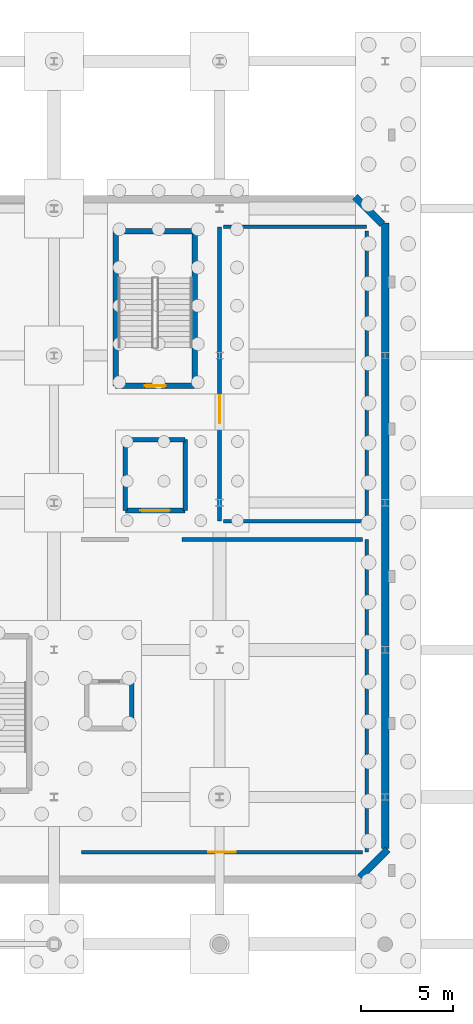
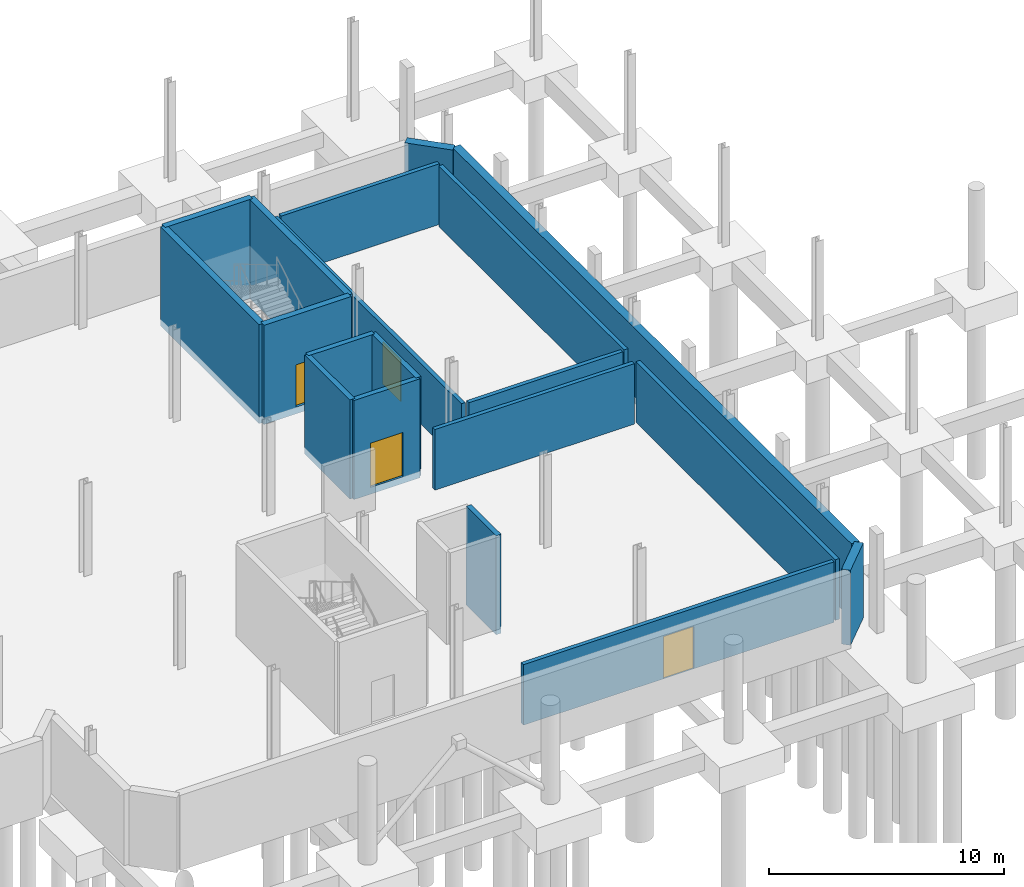
# One storey, part 30 of 37: 19 walls, 4 doors, 4 openings.
"""IFC4 building model written with IfcOpenShell, lengths in metres."""

from ifc_helpers import new_model, si_unit, direction, frame, frame_2d, origin, place, context, subcontext, project, spatial, rectangle, extrude, material, layer, layer_set, type_object, element, fill, save


model = new_model("IFC4")

# Units and contexts
model_context = context("Model", 3, precision=1e-05, world=origin(), true_north=direction((0.0, 1.0)))
body_context = subcontext(model_context, "Body", "Model", "MODEL_VIEW")
ifc_project = project(units=[si_unit("LENGTHUNIT", "METRE"), si_unit("AREAUNIT", "SQUARE_METRE"), si_unit("VOLUMEUNIT", "CUBIC_METRE"), si_unit("PLANEANGLEUNIT", "RADIAN"), si_unit("MASSUNIT", "GRAM", prefix="KILO"), si_unit("THERMODYNAMICTEMPERATUREUNIT", "KELVIN"), si_unit("POWERUNIT", "WATT")], contexts=[model_context])

# Site, building, storey
site_placement = place(None, origin())
site = spatial("IfcSite", under=ifc_project, at=site_placement, CompositionType="ELEMENT")
building_placement = place(site_placement, origin())
building = spatial("IfcBuilding", under=site, at=building_placement, Name="Zelmaris Science Centre", CompositionType="ELEMENT")
storey_placement = place(building_placement, frame((0.0, 0.0, -4.800048828125)))
storey = spatial("IfcBuildingStorey", under=building, at=storey_placement, Name="B1", CompositionType="ELEMENT", Elevation=-4.800048828125)

# Wall, opening, door
ifc_material_1 = material(Name="Concrete C40/50", Category="concrete")
ifc_layer_1 = layer(ifc_material_1, 0.300048828125, Name="Concrete C40/50")
ifc_layer_set_1 = layer_set([ifc_layer_1], Name="Concrete C40/50")
wall_type_1 = type_object("IfcWallType", Name="Core Shear Wall CW-S1 300mm", PredefinedType="SOLIDWALL", material=ifc_layer_set_1)
wall_1_placement = place(storey_placement, frame((133.64990234375, 38.35009765625, -0.349853515625), z_axis=(0.0, 0.0, 1.0), x_axis=(-1.0, 0.0, 0.0)))
wall_1 = element("IfcWall", 1, at=wall_1_placement, inside=storey, type_object=wall_type_1, Name="B1 ST-5 core shear wall near", PredefinedType="SOLIDWALL", context=body_context, shape_type="SweptSolid", body=[
    extrude(rectangle(XDim=4.2998046875, YDim=0.300048828125, at=frame_2d((2.14990234375, 0.0))), origin(), (0.0, 0.0, 1.0), 5.14990234375),
])
opening_1_placement = place(wall_1_placement, frame((1.574951171875, 0.0, 0.35009765625)))
opening_1 = element("IfcOpeningElement", 2, at=opening_1_placement, cuts=wall_1, Name="Opening D-FD90", PredefinedType="OPENING", context=body_context, shape_type="SweptSolid", body=[
    extrude(rectangle(XDim=1.14990234375, YDim=2.199951171875, at=frame_2d((0.574951171875, 1.10009765625))), frame((0.0, 0.159912109375, 0.0), z_axis=(0.0, -1.0, 0.0), x_axis=(1.0, 0.0, 0.0)), (0.0, 0.0, 1.0), 0.320068359375),
])
ifc_material_2 = material(Name="Steel ASTM A36", Category="steel")
door_type_1 = type_object("IfcDoorType", Name="Interior Door D-FD90 1150x2200", OperationType="NOTDEFINED", PredefinedType="DOOR", material=ifc_material_2)
door_1_placement = place(opening_1_placement, origin())
door_1 = element("IfcDoor", 3, at=door_1_placement, inside=storey, type_object=door_type_1, Name="B1 ST-5 exit stair fire door", OperationType="SINGLE_SWING_LEFT", OverallHeight=2.199951171875, OverallWidth=1.14990234375, PredefinedType="DOOR", context=body_context, shape_type="SweptSolid", body=[
    extrude(rectangle(XDim=1.14990234375, YDim=2.199951171875, at=frame_2d((0.574951171875, 1.10009765625))), frame((0.0, 0.02490234375, 0.0), z_axis=(0.0, -1.0, 0.0), x_axis=(1.0, 0.0, 0.0)), (0.0, 0.0, 1.0), 0.050048828125),
])
fill(opening_1, door_1)

# Walls
wall_2_placement = place(storey_placement, frame((133.64990234375, 38.35009765625, -0.349853515625), z_axis=(0.0, 0.0, 1.0), x_axis=(0.0, 1.0, 0.0)))
element("IfcWall", 4, at=wall_2_placement, inside=storey, type_object=wall_type_1, Name="B1 ST-5 core shear wall east", PredefinedType="SOLIDWALL", context=body_context, shape_type="SweptSolid", body=[
    extrude(rectangle(XDim=8.39990234375, YDim=0.300048828125, at=frame_2d((4.199951171875, 0.0))), origin(), (0.0, 0.0, 1.0), 5.14990234375),
])
wall_3_placement = place(storey_placement, frame((133.64990234375, 46.75, -0.349853515625), z_axis=(0.0, 0.0, 1.0), x_axis=(-1.0, 0.0, 0.0)))
element("IfcWall", 5, at=wall_3_placement, inside=storey, type_object=wall_type_1, Name="B1 ST-5 core shear wall far", PredefinedType="SOLIDWALL", context=body_context, shape_type="SweptSolid", body=[
    extrude(rectangle(XDim=4.2998046875, YDim=0.300048828125, at=frame_2d((2.14990234375, 0.0))), origin(), (0.0, 0.0, 1.0), 5.14990234375),
])
wall_4_placement = place(storey_placement, frame((129.35009765625, 38.35009765625, -0.349853515625), z_axis=(0.0, 0.0, 1.0), x_axis=(0.0, 1.0, 0.0)))
element("IfcWall", 6, at=wall_4_placement, inside=storey, type_object=wall_type_1, Name="B1 ST-5 core shear wall west", PredefinedType="SOLIDWALL", context=body_context, shape_type="SweptSolid", body=[
    extrude(rectangle(XDim=8.39990234375, YDim=0.300048828125, at=frame_2d((4.199951171875, 0.0))), origin(), (0.0, 0.0, 1.0), 5.14990234375),
])
ifc_layer_2 = layer(ifc_material_1, 0.25, Name="Concrete C40/50")
ifc_layer_set_2 = layer_set([ifc_layer_2], Name="Concrete C40/50")
wall_type_2 = type_object("IfcWallType", Name="Core Shear Wall CW-S2 250mm", PredefinedType="SOLIDWALL", material=ifc_layer_set_2)
wall_5_placement = place(storey_placement, frame((130.22509765625, 19.72509765625, -0.349853515625), z_axis=(0.0, 0.0, 1.0), x_axis=(0.0, 1.0, 0.0)))
element("IfcWall", 7, at=wall_5_placement, inside=storey, type_object=wall_type_2, Name="B1 LP-02 lift shaft wall +x", PredefinedType="SOLIDWALL", context=body_context, shape_type="SweptSolid", body=[
    extrude(rectangle(XDim=2.5498046875, YDim=0.25, at=frame_2d((1.27490234375, 0.0))), origin(), (0.0, 0.0, 1.0), 5.14990234375),
])

# Wall, opening, door
wall_6_placement = place(storey_placement, frame((129.875, 31.574951171875, -0.349853515625), z_axis=(0.0, 0.0, 1.0), x_axis=(1.0, 0.0, 0.0)))
wall_6 = element("IfcWall", 8, at=wall_6_placement, inside=storey, type_object=wall_type_2, Name="B1 GL-01 lift shaft wall -y", PredefinedType="SOLIDWALL", context=body_context, shape_type="SweptSolid", body=[
    extrude(rectangle(XDim=3.25, YDim=0.25, at=frame_2d((1.625, 0.0))), origin(), (0.0, 0.0, 1.0), 5.14990234375),
])
opening_2_placement = place(wall_6_placement, frame((0.824951171875, 0.0, 0.35009765625)))
opening_2 = element("IfcOpeningElement", 9, at=opening_2_placement, cuts=wall_6, Name="Opening LD-02", PredefinedType="OPENING", context=body_context, shape_type="SweptSolid", body=[
    extrude(rectangle(XDim=1.60009765625, YDim=2.300048828125, at=frame_2d((0.800048828125, 1.14990234375))), frame((0.0, 0.135009765625, 0.0), z_axis=(0.0, -1.0, 0.0), x_axis=(1.0, 0.0, 0.0)), (0.0, 0.0, 1.0), 0.27001953125),
])
door_type_2 = type_object("IfcDoorType", Name="Interior Door LD-02 1600x2300", OperationType="SLIDING_TO_LEFT", PredefinedType="DOOR", material=ifc_material_2)
door_2_placement = place(opening_2_placement, origin())
door_2 = element("IfcDoor", 10, at=door_2_placement, inside=storey, type_object=door_type_2, Name="Landing door LD-GL-01-B1", OperationType="SLIDING_TO_LEFT", OverallHeight=2.300048828125, OverallWidth=1.60009765625, PredefinedType="DOOR", context=body_context, shape_type="SweptSolid", body=[
    extrude(rectangle(XDim=1.60009765625, YDim=2.300048828125, at=frame_2d((0.800048828125, 1.14990234375))), frame((0.0, 0.02490234375, 0.0), z_axis=(0.0, -1.0, 0.0), x_axis=(1.0, 0.0, 0.0)), (0.0, 0.0, 1.0), 0.050048828125),
])
fill(opening_2, door_2)

# Walls
wall_7_placement = place(storey_placement, frame((133.125, 31.574951171875, -0.349853515625), z_axis=(0.0, 0.0, 1.0), x_axis=(0.0, 1.0, 0.0)))
element("IfcWall", 11, at=wall_7_placement, inside=storey, type_object=wall_type_2, Name="B1 GL-01 lift shaft wall +x", PredefinedType="SOLIDWALL", context=body_context, shape_type="SweptSolid", body=[
    extrude(rectangle(XDim=3.85009765625, YDim=0.25, at=frame_2d((1.925048828125, 0.0))), origin(), (0.0, 0.0, 1.0), 5.14990234375),
])
wall_8_placement = place(storey_placement, frame((133.125, 35.425048828125, -0.349853515625), z_axis=(0.0, 0.0, 1.0), x_axis=(-1.0, 0.0, 0.0)))
element("IfcWall", 12, at=wall_8_placement, inside=storey, type_object=wall_type_2, Name="B1 GL-01 lift shaft wall +y", PredefinedType="SOLIDWALL", context=body_context, shape_type="SweptSolid", body=[
    extrude(rectangle(XDim=3.25, YDim=0.25, at=frame_2d((1.625, 0.0))), origin(), (0.0, 0.0, 1.0), 5.14990234375),
])
wall_9_placement = place(storey_placement, frame((129.875, 35.425048828125, -0.349853515625), z_axis=(0.0, 0.0, 1.0), x_axis=(0.0, -1.0, 0.0)))
element("IfcWall", 13, at=wall_9_placement, inside=storey, type_object=wall_type_2, Name="B1 GL-01 lift shaft wall -x", PredefinedType="SOLIDWALL", context=body_context, shape_type="SweptSolid", body=[
    extrude(rectangle(XDim=3.85009765625, YDim=0.25, at=frame_2d((1.925048828125, 0.0))), origin(), (0.0, 0.0, 1.0), 5.14990234375),
])
ifc_material_3 = material(Name="Autoclaved aerated concrete blockwork", Category="masonry")
ifc_layer_3 = layer(ifc_material_3, 0.199951171875, Name="Autoclaved aerated concrete blockwork")
ifc_layer_set_3 = layer_set([ifc_layer_3], Name="Autoclaved aerated concrete blockwork")
wall_type_3 = type_object("IfcWallType", Name="Interior Wall FW-01 200mm", PredefinedType="SOLIDWALL", material=ifc_layer_set_3)
wall_10_placement = place(storey_placement, frame((143.0, 30.0, 0.0), z_axis=(0.0, 0.0, 1.0), x_axis=(0.0, -1.0, 0.0)))
element("IfcWall", 14, at=wall_10_placement, inside=storey, type_object=wall_type_3, Name="B1 Exhibit Fabrication Storage Room partition 14", PredefinedType="SOLIDWALL", context=body_context, shape_type="SweptSolid", body=[
    extrude(rectangle(XDim=17.0, YDim=0.199951171875, at=frame_2d((8.5, 0.0))), origin(), (0.0, 0.0, 1.0), 3.150146484375),
])

# Wall, opening, door
wall_11_placement = place(storey_placement, frame((142.780029296875, 13.0, 0.0), z_axis=(0.0, 0.0, 1.0), x_axis=(-1.0, 0.0, 0.0)))
wall_11 = element("IfcWall", 15, at=wall_11_placement, inside=storey, type_object=wall_type_3, Name="B1 Exhibit Fabrication Storage Room partition 15", PredefinedType="SOLIDWALL", context=body_context, shape_type="SweptSolid", body=[
    extrude(rectangle(XDim=15.275146484375, YDim=0.199951171875, at=frame_2d((7.6376953125, 0.0))), origin(), (0.0, 0.0, 1.0), 3.150146484375),
])
opening_3_placement = place(wall_11_placement, frame((6.887451171875, 0.0, 0.0)))
opening_3 = element("IfcOpeningElement", 16, at=opening_3_placement, cuts=wall_11, Name="Opening D-IN5", PredefinedType="OPENING", context=body_context, shape_type="SweptSolid", body=[
    extrude(rectangle(XDim=1.5, YDim=2.199951171875, at=frame_2d((0.75, 1.10009765625))), frame((0.0, 0.10986328125, 0.0), z_axis=(0.0, -1.0, 0.0), x_axis=(1.0, 0.0, 0.0)), (0.0, 0.0, 1.0), 0.219970703125),
])
door_type_3 = type_object("IfcDoorType", Name="Interior Door D-IN5 1500x2200", OperationType="NOTDEFINED", PredefinedType="DOOR", material=ifc_material_2)
door_3_placement = place(opening_3_placement, origin())
door_3 = element("IfcDoor", 17, at=door_3_placement, inside=storey, type_object=door_type_3, Name="B1 Exhibit Fabrication Storage Room door", OperationType="SINGLE_SWING_RIGHT", OverallHeight=2.199951171875, OverallWidth=1.5, PredefinedType="DOOR", context=body_context, shape_type="SweptSolid", body=[
    extrude(rectangle(XDim=1.5, YDim=2.199951171875, at=frame_2d((0.75, 1.10009765625))), frame((0.0, 0.02490234375, 0.0), z_axis=(0.0, -1.0, 0.0), x_axis=(1.0, 0.0, 0.0)), (0.0, 0.0, 1.0), 0.050048828125),
])
fill(opening_3, door_3)

# Wall
wall_12_placement = place(storey_placement, frame((132.9599609375, 30.0, 0.0), z_axis=(0.0, 0.0, 1.0), x_axis=(1.0, 0.0, 0.0)))
element("IfcWall", 18, at=wall_12_placement, inside=storey, type_object=wall_type_3, Name="B1 Exhibit Fabrication Storage Room partition 17", PredefinedType="SOLIDWALL", context=body_context, shape_type="SweptSolid", body=[
    extrude(rectangle(XDim=9.820068359375, YDim=0.199951171875, at=frame_2d((4.91015625, 0.0))), origin(), (0.0, 0.0, 1.0), 3.150146484375),
])

# Wall, opening, door
wall_13_placement = place(storey_placement, frame((135.0, 31.0, 0.0), z_axis=(0.0, 0.0, 1.0), x_axis=(0.0, 1.0, 0.0)))
wall_13 = element("IfcWall", 19, at=wall_13_placement, inside=storey, type_object=wall_type_3, Name="B1 Building Management and Server Plant Room partition 18", PredefinedType="SOLIDWALL", context=body_context, shape_type="SweptSolid", body=[
    extrude(rectangle(XDim=16.0, YDim=0.199951171875, at=frame_2d((8.0, 0.0))), origin(), (0.0, 0.0, 1.0), 3.150146484375),
])
opening_4_placement = place(wall_13_placement, frame((5.330078125, 0.0, 0.0)))
opening_4 = element("IfcOpeningElement", 20, at=opening_4_placement, cuts=wall_13, Name="Opening D-IN5", PredefinedType="OPENING", context=body_context, shape_type="SweptSolid", body=[
    extrude(rectangle(XDim=1.5, YDim=2.199951171875, at=frame_2d((0.75, 1.10009765625))), frame((0.0, 0.10986328125, 0.0), z_axis=(0.0, -1.0, 0.0), x_axis=(1.0, 0.0, 0.0)), (0.0, 0.0, 1.0), 0.219970703125),
])
door_4_placement = place(opening_4_placement, origin())
door_4 = element("IfcDoor", 21, at=door_4_placement, inside=storey, type_object=door_type_3, Name="B1 Building Management and Server Plant Room door", OperationType="SINGLE_SWING_LEFT", OverallHeight=2.199951171875, OverallWidth=1.5, PredefinedType="DOOR", context=body_context, shape_type="SweptSolid", body=[
    extrude(rectangle(XDim=1.5, YDim=2.199951171875, at=frame_2d((0.75, 1.10009765625))), frame((0.0, 0.02490234375, 0.0), z_axis=(0.0, -1.0, 0.0), x_axis=(1.0, 0.0, 0.0)), (0.0, 0.0, 1.0), 0.050048828125),
])
fill(opening_4, door_4)

# Walls
wall_14_placement = place(storey_placement, frame((135.219970703125, 47.0, 0.0), z_axis=(0.0, 0.0, 1.0), x_axis=(1.0, 0.0, 0.0)))
element("IfcWall", 22, at=wall_14_placement, inside=storey, type_object=wall_type_3, Name="B1 Building Management and Server Plant Room partition 19", PredefinedType="SOLIDWALL", context=body_context, shape_type="SweptSolid", body=[
    extrude(rectangle(XDim=7.780029296875, YDim=0.199951171875, at=frame_2d((3.89013671875, 0.0))), origin(), (0.0, 0.0, 1.0), 3.150146484375),
])
wall_15_placement = place(storey_placement, frame((143.0, 46.780029296875, 0.0), z_axis=(0.0, 0.0, 1.0), x_axis=(0.0, -1.0, 0.0)))
element("IfcWall", 23, at=wall_15_placement, inside=storey, type_object=wall_type_3, Name="B1 Building Management and Server Plant Room partition 20", PredefinedType="SOLIDWALL", context=body_context, shape_type="SweptSolid", body=[
    extrude(rectangle(XDim=15.780029296875, YDim=0.199951171875, at=frame_2d((7.89013671875, 0.0))), origin(), (0.0, 0.0, 1.0), 3.150146484375),
])
wall_16_placement = place(storey_placement, frame((142.780029296875, 31.0, 0.0), z_axis=(0.0, 0.0, 1.0), x_axis=(-1.0, 0.0, 0.0)))
element("IfcWall", 24, at=wall_16_placement, inside=storey, type_object=wall_type_3, Name="B1 Building Management and Server Plant Room partition 21", PredefinedType="SOLIDWALL", context=body_context, shape_type="SweptSolid", body=[
    extrude(rectangle(XDim=7.56005859375, YDim=0.199951171875, at=frame_2d((3.780029296875, 0.0))), origin(), (0.0, 0.0, 1.0), 3.150146484375),
])
ifc_layer_4 = layer(ifc_material_1, 0.39990234375, Name="Concrete C40/50")
ifc_layer_set_4 = layer_set([ifc_layer_4], Name="Concrete C40/50")
wall_type_4 = type_object("IfcWallType", Name="Retaining Wall RW-01 400mm", PredefinedType="USERDEFINED", material=ifc_layer_set_4)
wall_17_placement = place(storey_placement, frame((142.357421875, 48.641357421875, -0.349853515625), z_axis=(0.0, 0.0, 1.0), x_axis=(0.70733684682, -0.706876640674, 0.0)))
element("IfcWall", 25, at=wall_17_placement, inside=storey, type_object=wall_type_4, Name="B1 Perimeter retaining wall 24", ObjectType="RETAININGWALL", PredefinedType="USERDEFINED", context=body_context, shape_type="SweptSolid", body=[
    extrude(rectangle(XDim=2.1220703125, YDim=0.39990234375, at=frame_2d((1.06103515625, 0.0))), origin(), (0.0, 0.0, 1.0), 3.89990234375),
])
wall_18_placement = place(storey_placement, frame((144.0, 47.199951171875, -0.349853515625), z_axis=(0.0, 0.0, 1.0), x_axis=(0.0, -1.0, 0.0)))
element("IfcWall", 26, at=wall_18_placement, inside=storey, type_object=wall_type_4, Name="B1 Perimeter retaining wall 25", ObjectType="RETAININGWALL", PredefinedType="USERDEFINED", context=body_context, shape_type="SweptSolid", body=[
    extrude(rectangle(XDim=33.998779296875, YDim=0.39990234375, at=frame_2d((16.99951171875, 0.0))), origin(), (0.0, 0.0, 1.0), 3.89990234375),
])
wall_19_placement = place(storey_placement, frame((144.141357421875, 13.142578125, -0.349853515625), z_axis=(0.0, 0.0, 1.0), x_axis=(-0.706876640674, -0.70733684682, 0.0)))
element("IfcWall", 27, at=wall_19_placement, inside=storey, type_object=wall_type_4, Name="B1 Perimeter retaining wall 26", ObjectType="RETAININGWALL", PredefinedType="USERDEFINED", context=body_context, shape_type="SweptSolid", body=[
    extrude(rectangle(XDim=2.1220703125, YDim=0.39990234375, at=frame_2d((1.06103515625, 0.0))), origin(), (0.0, 0.0, 1.0), 3.89990234375),
])

save(model, "model.ifc")
